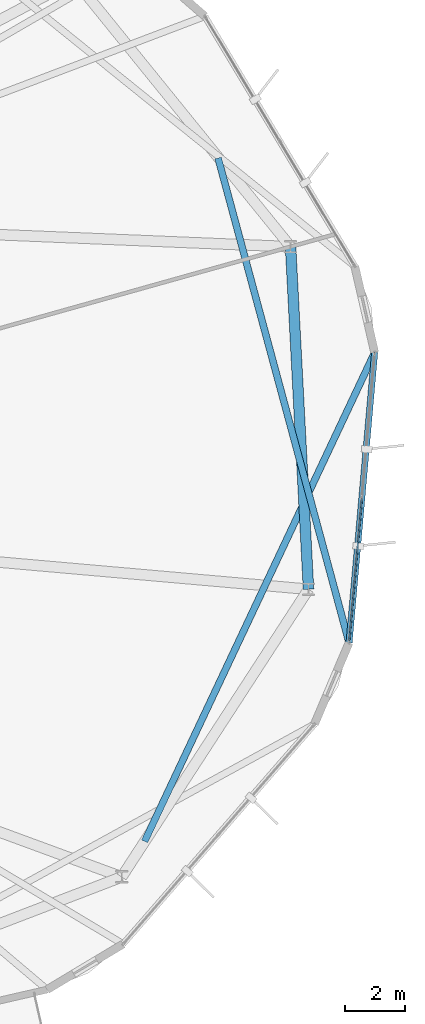
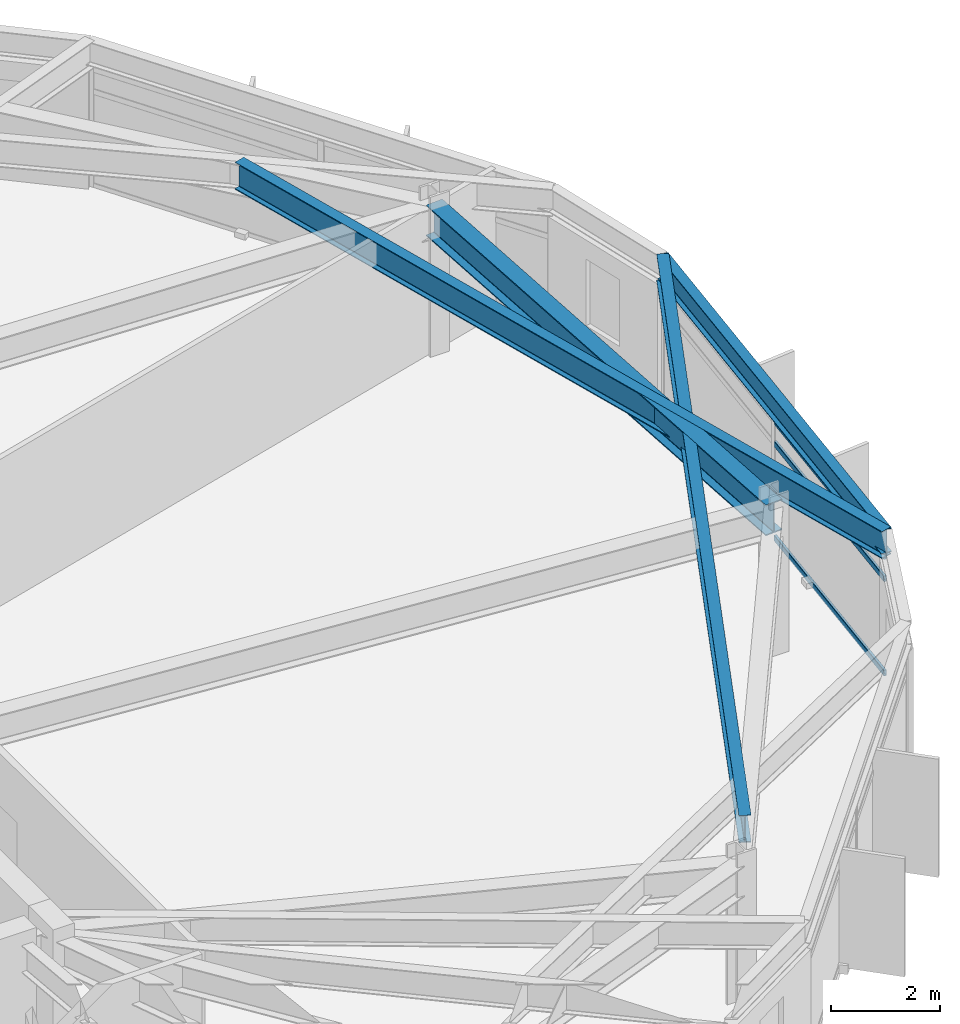
# One storey, part 11 of 27: 4 beams, 3 members, 1 element without a shape of its own.
"""IFC4 building model written with IfcOpenShell, lengths in metres."""

from ifc_helpers import new_model, si_unit, direction, frame, origin, origin_2d, place, context, subcontext, project, spatial, hollow_rectangle, i_section, extrude, material, layer, layer_set, material_profile, profile_set, type_object, element, aggregate, save


model = new_model("IFC4")

# Units and contexts
model_context = context("Model", 3, precision=1e-05, world=origin(), true_north=direction((0.0, 1.0)))
body_context = subcontext(model_context, "Body", "Model", "MODEL_VIEW")
ifc_project = project(units=[si_unit("LENGTHUNIT", "METRE"), si_unit("AREAUNIT", "SQUARE_METRE"), si_unit("VOLUMEUNIT", "CUBIC_METRE"), si_unit("PLANEANGLEUNIT", "RADIAN"), si_unit("MASSUNIT", "GRAM", prefix="KILO")], contexts=[model_context])

# Site, building, storey
site_placement = place(None, origin())
site = spatial("IfcSite", under=ifc_project, at=site_placement, CompositionType="ELEMENT")
building_placement = place(site_placement, origin())
building = spatial("IfcBuilding", under=site, at=building_placement, Name="Soratama Intermodal Tower", CompositionType="ELEMENT")
storey_placement = place(building_placement, frame((0.0, 0.0, 212.199951171875)))
storey = spatial("IfcBuildingStorey", under=building, at=storey_placement, Name="L53", CompositionType="ELEMENT", Elevation=212.199951171875)

# Beams
ifc_material_1 = material(Name="Structural steel ASTM A992 Grade 50", Category="steel")
ifc_material_profile_1 = material_profile(ifc_material_1, i_section(OverallWidth=0.35498046875, OverallDepth=0.695068359375, WebThickness=0.015380859375, FlangeThickness=0.02490234375, FilletRadius=0.01611328125, at=origin_2d()), Name="W27X146")
ifc_profile_set_1 = profile_set([ifc_material_profile_1], Name="Structural steel ASTM A992 Grade 50")
beam_type_1 = type_object("IfcBeamType", Name="BM-RING-W27X146", PredefinedType="BEAM", material=ifc_profile_set_1)
beam_1_placement = place(storey_placement, frame((62.966064453125, 20.18603515625, 2.95263671875), z_axis=(-0.052286849724, 0.998632107108, 0.0), x_axis=(-0.998632107108, -0.052286849724, 0.0)))
element("IfcBeam", 1, at=beam_1_placement, inside=storey, type_object=beam_type_1, Name="BM-L53-RING-10", PredefinedType="BEAM", context=body_context, shape_type="SweptSolid", body=[
    extrude(i_section(OverallWidth=0.35498046875, OverallDepth=0.695068359375, WebThickness=0.015380859375, FlangeThickness=0.02490234375, FilletRadius=0.01611328125, at=origin_2d()), origin(), (0.0, 0.0, 1.0), 11.49560546875),
])
ifc_material_2 = material(Name="Structural steel ASTM A992 Grade 50", Category="steel")
ifc_material_profile_2 = material_profile(ifc_material_2, i_section(OverallWidth=0.2099609375, OverallDepth=0.537109375, WebThickness=0.010986328125, FlangeThickness=0.017333984375, FilletRadius=0.012939453125, at=origin_2d()), Name="W21X68")
ifc_profile_set_2 = profile_set([ifc_material_profile_2], Name="Structural steel ASTM A992 Grade 50")
beam_type_2 = type_object("IfcBeamType", Name="BM-SPN-W21X68", PredefinedType="SPANDREL", material=ifc_profile_set_2)
beam_2_placement = place(storey_placement, frame((64.326904296875, 18.39208984375, 3.031494140625), z_axis=(0.087847129731, 0.996133967797, 0.0), x_axis=(-0.996133967797, 0.087847129731, 0.0)))
element("IfcBeam", 2, at=beam_2_placement, inside=storey, type_object=beam_type_2, Name="BS-L53-F09", PredefinedType="SPANDREL", context=body_context, shape_type="SweptSolid", body=[
    extrude(i_section(OverallWidth=0.2099609375, OverallDepth=0.537109375, WebThickness=0.010986328125, FlangeThickness=0.017333984375, FilletRadius=0.012939453125, at=origin_2d()), origin(), (0.0, 0.0, 1.0), 9.768798828125),
])
ifc_material_3 = material(Name="Structural steel ASTM A992 Grade 50", Category="steel")
ifc_material_profile_3 = material_profile(ifc_material_3, i_section(OverallWidth=0.22900390625, OverallDepth=0.612060546875, WebThickness=0.011962890625, FlangeThickness=0.01953125, FilletRadius=0.012939453125, at=origin_2d()), Name="W24X84")
ifc_profile_set_3 = profile_set([ifc_material_profile_3], Name="Structural steel ASTM A992 Grade 50")
beam_type_3 = type_object("IfcBeamType", Name="BM-TIE-W24X84", PredefinedType="BEAM", material=ifc_profile_set_3)
beam_3_placement = place(storey_placement, frame((59.93603515625, 34.638916015625, 2.994140625), z_axis=(0.26089989066, -0.965365861761, 0.0), x_axis=(0.965365861761, 0.26089989066, 0.0)))
element("IfcBeam", 3, at=beam_3_placement, inside=storey, type_object=beam_type_3, Name="BM-L53-TIE0-09", PredefinedType="BEAM", context=body_context, shape_type="SweptSolid", body=[
    extrude(i_section(OverallWidth=0.22900390625, OverallDepth=0.612060546875, WebThickness=0.011962890625, FlangeThickness=0.01953125, FilletRadius=0.012939453125, at=origin_2d()), origin(), (0.0, 0.0, 1.0), 16.82958984375),
])
beam_4_placement = place(storey_placement, frame((57.472900390625, 11.736083984375, 2.994140625), z_axis=(0.425826249587, 0.90480495421, 0.0), x_axis=(-0.90480495421, 0.425826249587, 0.0)))
element("IfcBeam", 4, at=beam_4_placement, inside=storey, type_object=beam_type_3, Name="BM-L53-TIE1-09", PredefinedType="BEAM", context=body_context, shape_type="SweptSolid", body=[
    extrude(i_section(OverallWidth=0.22900390625, OverallDepth=0.612060546875, WebThickness=0.011962890625, FlangeThickness=0.01953125, FilletRadius=0.012939453125, at=origin_2d()), origin(), (0.0, 0.0, 1.0), 18.111083984375),
])

# Curtain wall, members
ifc_material_4 = material(Name="Double-glazed aluminium curtain wall", Category="aluminium")
ifc_layer = layer(ifc_material_4, 0.159912109375)
ifc_layer_set = layer_set([ifc_layer], Name="Double-glazed aluminium curtain wall")
curtain_wall_type = type_object("IfcCurtainWallType", Name="CW-SYS-5", PredefinedType="NOTDEFINED", material=ifc_layer_set)
curtain_wall_placement = place(storey_placement, origin())
curtain_wall = element("IfcCurtainWall", 5, at=curtain_wall_placement, inside=storey, type_object=curtain_wall_type, Name="L53 Faceted Curtain Wall F09", PredefinedType="NOTDEFINED")
ifc_material_5 = material(Name="Anodised aluminium AA 6063-T6", Category="aluminium")
ifc_material_profile_4 = material_profile(ifc_material_5, hollow_rectangle(XDim=0.06005859375, YDim=0.1298828125, WallThickness=0.0048828125, InnerFilletRadius=0.0048828125, OuterFilletRadius=0.010009765625, at=origin_2d()), Name="CWT130X60X5")
ifc_profile_set_4 = profile_set([ifc_material_profile_4], Name="Anodised aluminium AA 6063-T6")
member_type = type_object("IfcMemberType", Name="TT-CWT-2", PredefinedType="USERDEFINED", material=ifc_profile_set_4)
member_1_placement = place(storey_placement, frame((64.332275390625, 18.451904296875, 0.030029296875), z_axis=(0.087840309373, 0.996134569247, 0.0), x_axis=(-0.996134569247, 0.087840309373, 0.0)))
member_1 = element("IfcMember", 6, at=member_1_placement, type_object=member_type, Name="CW-5 transom 1.1", ObjectType="TRANSOM", PredefinedType="USERDEFINED", context=body_context, shape_type="SweptSolid", body=[
    extrude(hollow_rectangle(XDim=0.06005859375, YDim=0.1298828125, WallThickness=0.0048828125, InnerFilletRadius=0.0048828125, OuterFilletRadius=0.010009765625, at=origin_2d()), origin(), (0.0, 0.0, 1.0), 4.79443359375),
])
member_2_placement = place(storey_placement, frame((64.332275390625, 18.451904296875, 2.150146484375), z_axis=(0.087840309373, 0.996134569247, 0.0), x_axis=(-0.996134569247, 0.087840309373, 0.0)))
member_2 = element("IfcMember", 7, at=member_2_placement, type_object=member_type, Name="CW-5 transom 1.2", ObjectType="TRANSOM", PredefinedType="USERDEFINED", context=body_context, shape_type="SweptSolid", body=[
    extrude(hollow_rectangle(XDim=0.06005859375, YDim=0.1298828125, WallThickness=0.0048828125, InnerFilletRadius=0.0048828125, OuterFilletRadius=0.010009765625, at=origin_2d()), origin(), (0.0, 0.0, 1.0), 4.79443359375),
])
member_3_placement = place(storey_placement, frame((64.332275390625, 18.451904296875, 2.649169921875), z_axis=(0.087840309373, 0.996134569247, 0.0), x_axis=(-0.996134569247, 0.087840309373, 0.0)))
member_3 = element("IfcMember", 8, at=member_3_placement, type_object=member_type, Name="CW-5 transom 1.3", ObjectType="TRANSOM", PredefinedType="USERDEFINED", context=body_context, shape_type="SweptSolid", body=[
    extrude(hollow_rectangle(XDim=0.06005859375, YDim=0.1298828125, WallThickness=0.0048828125, InnerFilletRadius=0.0048828125, OuterFilletRadius=0.010009765625, at=origin_2d()), origin(), (0.0, 0.0, 1.0), 4.79443359375),
])
aggregate(curtain_wall, [member_1, member_2, member_3])

save(model, "model.ifc")
